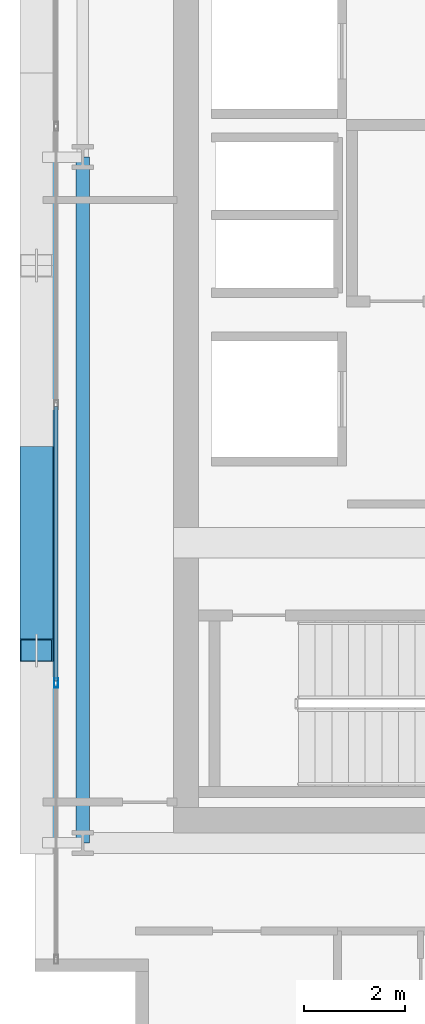
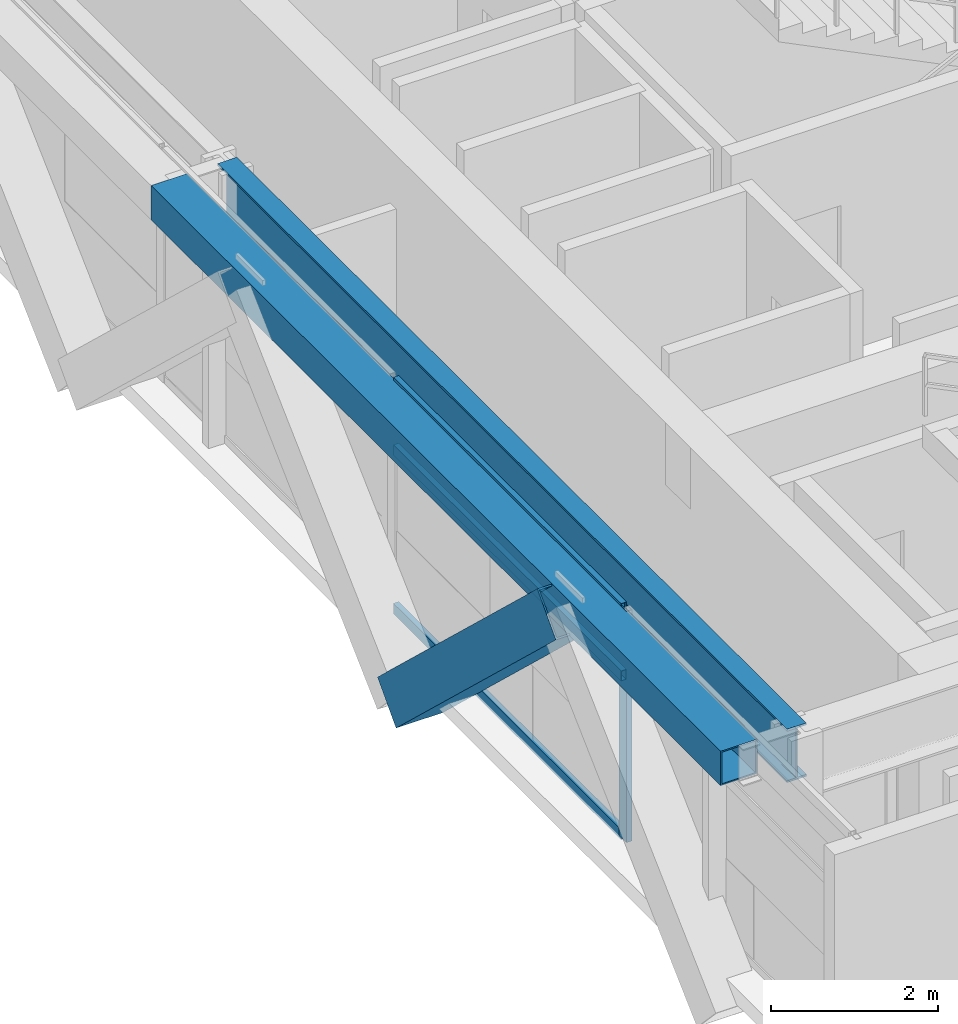
# One storey, part 4 of 31: 5 members, 2 beams, 1 element without a shape of its own.
"""IFC4 building model written with IfcOpenShell, lengths in metres."""

from ifc_helpers import new_model, si_unit, direction, frame, origin, origin_2d, place, context, subcontext, project, spatial, hollow_rectangle, i_section, extrude, source, transform, mapped, material, layer, layer_set, material_profile, profile_set, type_object, element, aggregate, save


model = new_model("IFC4")

# Units and contexts
model_context = context("Model", 3, precision=1e-05, world=origin(), true_north=direction((0.0, 1.0)))
body_context = subcontext(model_context, "Body", "Model", "MODEL_VIEW")
ifc_project = project(units=[si_unit("LENGTHUNIT", "METRE"), si_unit("AREAUNIT", "SQUARE_METRE"), si_unit("VOLUMEUNIT", "CUBIC_METRE"), si_unit("PLANEANGLEUNIT", "RADIAN"), si_unit("MASSUNIT", "GRAM", prefix="KILO")], contexts=[model_context])

# Site, building, storey
site_placement = place(None, origin())
site = spatial("IfcSite", under=ifc_project, at=site_placement, CompositionType="ELEMENT")
building_placement = place(site_placement, origin())
building = spatial("IfcBuilding", under=site, at=building_placement, Name="Ocotamira Hotel", CompositionType="ELEMENT")
storey_placement = place(building_placement, frame((0.0, 0.0, 210.0)))
storey = spatial("IfcBuildingStorey", under=building, at=storey_placement, Name="L53", CompositionType="ELEMENT", Elevation=210.0)

# Beams
ifc_material_1 = material(Name="Steel ASTM A992 Grade 50", Category="steel")
ifc_material_profile_1 = material_profile(ifc_material_1, i_section(OverallWidth=0.26611328125, OverallDepth=0.779052734375, WebThickness=0.0166015625, FlangeThickness=0.030029296875, FilletRadius=0.01806640625, at=origin_2d()), Name="W30X148")
ifc_profile_set_1 = profile_set([ifc_material_profile_1], Name="Steel ASTM A992 Grade 50")
beam_type_1 = type_object("IfcBeamType", Name="BM-GIRD-W30X148", PredefinedType="BEAM", material=ifc_profile_set_1)
shared_shape_1 = source(origin(), body_context, "Body", "SweptSolid", [
    extrude(i_section(OverallWidth=0.26611328125, OverallDepth=0.779052734375, WebThickness=0.0166015625, FlangeThickness=0.030029296875, FilletRadius=0.01806640625, at=origin_2d()), origin(), (0.0, 0.0, 1.0), 13.599853515625),
])
beam_1_placement = place(storey_placement, frame((8.949951171875, 14.550048828125, 2.98046875), z_axis=(0.0, 1.0, 0.0), x_axis=(-1.0, 0.0, 0.0)))
element("IfcBeam", 1, at=beam_1_placement, inside=storey, type_object=beam_type_1, Name="L53 Beam X8.95 Y14.55-28.15", PredefinedType="BEAM", context=body_context, shape_type="MappedRepresentation", body=[
    mapped(shared_shape_1, transform((0.0, 0.0, 0.0), scale=1.0)),
])
ifc_material_2 = material(Name="Steel ASTM A500 Grade C", Category="steel")
ifc_material_profile_2 = material_profile(ifc_material_2, hollow_rectangle(XDim=0.5, YDim=0.5, WallThickness=0.02001953125, at=origin_2d()), Name="HSS500X500X20")
ifc_profile_set_2 = profile_set([ifc_material_profile_2], Name="Steel ASTM A500 Grade C")
beam_type_2 = type_object("IfcBeamType", Name="BM-SPAN-HSS500", PredefinedType="USERDEFINED", material=ifc_profile_set_2)
shared_shape_2 = source(origin(), body_context, "Body", "SweptSolid", [
    extrude(hollow_rectangle(XDim=0.5, YDim=0.5, WallThickness=0.02001953125, at=origin_2d()), origin(), (0.0, 0.0, 1.0), 13.599853515625),
])
beam_2_placement = place(storey_placement, frame((8.14990234375, 14.550048828125, 3.1201171875), z_axis=(0.0, 1.0, 0.0), x_axis=(-1.0, 0.0, 0.0)))
element("IfcBeam", 2, at=beam_2_placement, inside=storey, type_object=beam_type_2, Name="L53 Edge Spandrel W Y14.55-28.15", ObjectType="SPANDREL", PredefinedType="USERDEFINED", context=body_context, shape_type="MappedRepresentation", body=[
    mapped(shared_shape_2, transform((0.0, 0.0, 0.0), scale=1.0)),
])

# Member
ifc_material_3 = material(Name="Pale-metal coated steel ASTM A913 Grade 65", Category="steel")
ifc_material_profile_3 = material_profile(ifc_material_3, hollow_rectangle(XDim=0.64990234375, YDim=0.64990234375, WallThickness=0.02197265625, at=origin_2d()), Name="BOX650X650X22")
ifc_profile_set_3 = profile_set([ifc_material_profile_3], Name="Pale-metal coated steel ASTM A913 Grade 65")
member_type_1 = type_object("IfcMemberType", Name="MEM-EXO-BOX650", PredefinedType="BRACE", material=ifc_profile_set_3)
shared_shape_3 = source(origin(), body_context, "Body", "SweptSolid", [
    extrude(hollow_rectangle(XDim=0.64990234375, YDim=0.64990234375, WallThickness=0.02197265625, at=origin_2d()), origin(), (0.0, 0.0, 1.0), 5.24658203125),
])
member_1_placement = place(storey_placement, frame((8.030029296875, 22.183349609375, -0.47998046875), z_axis=(0.0, -0.727442733726, 0.686168397078), x_axis=(1.0, 0.0, 0.0)))
element("IfcMember", 3, at=member_1_placement, inside=storey, type_object=member_type_1, Name="L53 Exoskeleton Diagrid W0.2", PredefinedType="BRACE", context=body_context, shape_type="MappedRepresentation", body=[
    mapped(shared_shape_3, transform((0.0, 0.0, 0.0), scale=1.0)),
])

# Curtain wall, members
ifc_material_4 = material(Name="Anodised pale-metal aluminium and solar glass", Category="aluminium")
ifc_layer = layer(ifc_material_4, 0.199951171875)
ifc_layer_set = layer_set([ifc_layer], Name="Anodised pale-metal aluminium and solar glass")
curtain_wall_type = type_object("IfcCurtainWallType", Name="CW-SYS4-Z3", PredefinedType="NOTDEFINED", material=ifc_layer_set)
curtain_wall_placement = place(storey_placement, origin())
curtain_wall = element("IfcCurtainWall", 4, at=curtain_wall_placement, inside=storey, type_object=curtain_wall_type, Name="L53 Curtain Wall CW-4 CW-L53-W", PredefinedType="NOTDEFINED")
ifc_material_5 = material(Name="Anodised pale-metal aluminium 6063-T6", Category="aluminium")
ifc_material_profile_4 = material_profile(ifc_material_5, hollow_rectangle(XDim=0.080078125, YDim=0.179931640625, WallThickness=0.006103515625, at=origin_2d()), Name="HSS180X80X6")
ifc_profile_set_4 = profile_set([ifc_material_profile_4], Name="Anodised pale-metal aluminium 6063-T6")
member_type_2 = type_object("IfcMemberType", Name="CWM-180X75", PredefinedType="MULLION", material=ifc_profile_set_4)
shared_shape_4 = source(origin(), body_context, "Body", "SweptSolid", [
    extrude(hollow_rectangle(XDim=0.080078125, YDim=0.179931640625, WallThickness=0.006103515625, at=origin_2d()), origin(), (0.0, 0.0, 1.0), 3.3701171875),
])
member_2_placement = place(storey_placement, frame((8.419921875, 17.719970703125, 0.0), z_axis=(0.0, 0.0, 1.0), x_axis=(-1.0, 0.0, 0.0)))
member_2 = element("IfcMember", 5, at=member_2_placement, type_object=member_type_2, Name="CW-4 mullion 2", PredefinedType="MULLION", context=body_context, shape_type="MappedRepresentation", body=[
    mapped(shared_shape_4, transform((0.0, 0.0, 0.0), scale=1.0)),
])
ifc_material_profile_5 = material_profile(ifc_material_5, hollow_rectangle(XDim=0.074951171875, YDim=0.14990234375, WallThickness=0.006103515625, at=origin_2d()), Name="HSS150X75X6")
ifc_profile_set_5 = profile_set([ifc_material_profile_5], Name="Anodised pale-metal aluminium 6063-T6")
member_type_3 = type_object("IfcMemberType", Name="CWT-150X75", PredefinedType="USERDEFINED", material=ifc_profile_set_5)
shared_shape_5 = source(origin(), body_context, "Body", "SweptSolid", [
    extrude(hollow_rectangle(XDim=0.074951171875, YDim=0.14990234375, WallThickness=0.006103515625, at=origin_2d()), origin(), (0.0, 0.0, 1.0), 5.43994140625),
])
member_3_placement = place(storey_placement, frame((8.419921875, 17.760009765625, 0.03759765625), z_axis=(0.0, 1.0, 0.0), x_axis=(-1.0, 0.0, 0.0)))
member_3 = element("IfcMember", 6, at=member_3_placement, type_object=member_type_3, Name="CW-4 transom 2.1", ObjectType="TRANSOM", PredefinedType="USERDEFINED", context=body_context, shape_type="MappedRepresentation", body=[
    mapped(shared_shape_5, transform((0.0, 0.0, 0.0), scale=1.0)),
])
member_4_placement = place(storey_placement, frame((8.419921875, 17.760009765625, 2.35009765625), z_axis=(0.0, 1.0, 0.0), x_axis=(-1.0, 0.0, 0.0)))
member_4 = element("IfcMember", 7, at=member_4_placement, type_object=member_type_3, Name="CW-4 transom 2.2", ObjectType="TRANSOM", PredefinedType="USERDEFINED", context=body_context, shape_type="MappedRepresentation", body=[
    mapped(shared_shape_5, transform((0.0, 0.0, 0.0), scale=1.0)),
])
member_5_placement = place(storey_placement, frame((8.419921875, 17.760009765625, 3.33251953125), z_axis=(0.0, 1.0, 0.0), x_axis=(-1.0, 0.0, 0.0)))
member_5 = element("IfcMember", 8, at=member_5_placement, type_object=member_type_3, Name="CW-4 transom 2.3", ObjectType="TRANSOM", PredefinedType="USERDEFINED", context=body_context, shape_type="MappedRepresentation", body=[
    mapped(shared_shape_5, transform((0.0, 0.0, 0.0), scale=1.0)),
])
aggregate(curtain_wall, [member_2, member_3, member_4, member_5])

save(model, "model.ifc")
